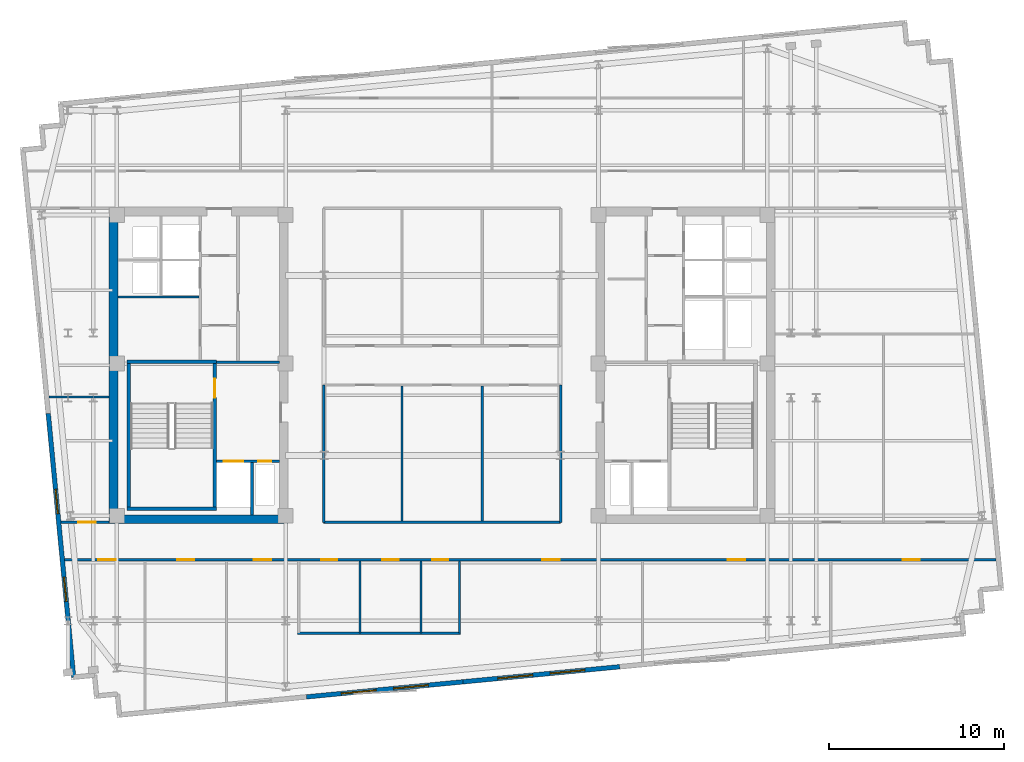
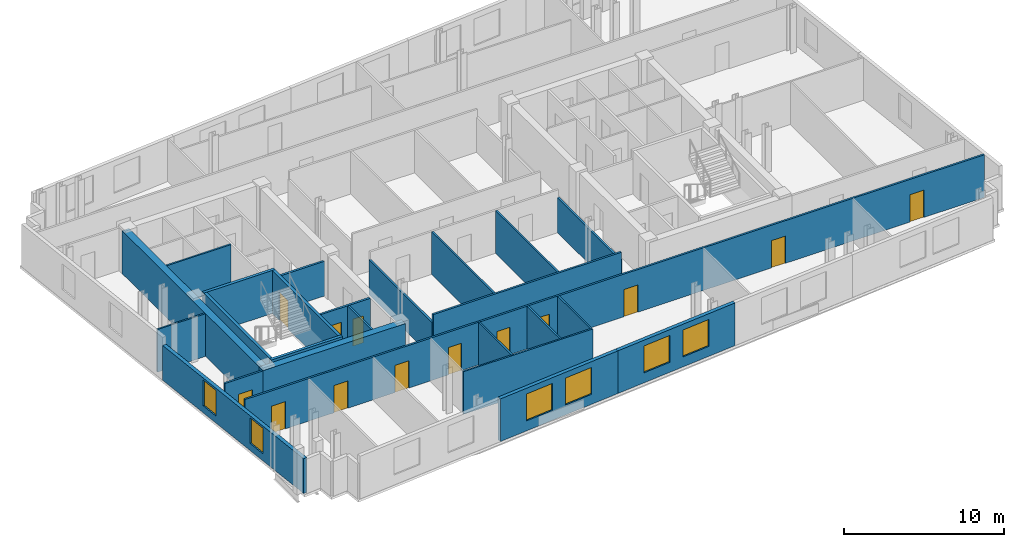
# One storey, part 3 of 9: 25 walls, 13 doors, 6 windows, 19 openings.
"""IFC4 building model written with IfcOpenShell, lengths in metres."""

from ifc_helpers import new_model, si_unit, direction, frame, frame_2d, origin, place, context, subcontext, project, spatial, rectangle, extrude, material, layer, layer_set, type_object, element, fill, save


model = new_model("IFC4")

# Units and contexts
model_context = context("Model", 3, precision=1e-05, world=origin(), true_north=direction((0.0, 1.0)))
body_context = subcontext(model_context, "Body", "Model", "MODEL_VIEW")
ifc_project = project(units=[si_unit("LENGTHUNIT", "METRE"), si_unit("AREAUNIT", "SQUARE_METRE"), si_unit("VOLUMEUNIT", "CUBIC_METRE"), si_unit("PLANEANGLEUNIT", "RADIAN"), si_unit("MASSUNIT", "GRAM", prefix="KILO")], contexts=[model_context])

# Site, building, storey
site_placement = place(None, origin())
site = spatial("IfcSite", under=ifc_project, at=site_placement, CompositionType="ELEMENT")
building_placement = place(site_placement, origin())
building = spatial("IfcBuilding", under=site, at=building_placement, Name="Velakula Bourse", CompositionType="ELEMENT")
storey_placement = place(building_placement, frame((0.0, 0.0, 275.85009765625)))
storey = spatial("IfcBuildingStorey", under=building, at=storey_placement, Name="L75", CompositionType="ELEMENT", Elevation=275.85009765625)

# Wall, opening, door
ifc_material_1 = material(Name="Concrete M50 (fck 50 MPa)", Category="concrete")
ifc_layer_1 = layer(ifc_material_1, 0.2099609375, Name="Concrete M50 (fck 50 MPa)", Category="concrete")
ifc_layer_set_1 = layer_set([ifc_layer_1], Name="Concrete M50 (fck 50 MPa)")
wall_type_1 = type_object("IfcWallType", Name="WL-CORE-210", PredefinedType="SHEAR", material=ifc_layer_set_1)
wall_1_placement = place(storey_placement, frame((-12.9951171875, -8.10009765625, 0.0), z_axis=(0.0, 0.0, 1.0), x_axis=(0.0, 1.0, 0.0)))
wall_1 = element("IfcWall", 1, at=wall_1_placement, inside=storey, type_object=wall_type_1, Name="L75 Core W Stairwell Shear Wall IN", PredefinedType="SHEAR", context=body_context, shape_type="SweptSolid", body=[
    extrude(rectangle(XDim=8.2001953125, YDim=0.2099609375, at=frame_2d((4.10009765625, 0.0))), origin(), (0.0, 0.0, 1.0), 3.27001953125),
])
opening_1_placement = place(wall_1_placement, frame((6.25, 0.0, 0.0)))
opening_1 = element("IfcOpeningElement", 2, at=opening_1_placement, cuts=wall_1, Name="Opening D-STW1", PredefinedType="OPENING", context=body_context, shape_type="SweptSolid", body=[
    extrude(rectangle(XDim=1.10009765625, YDim=2.14990234375, at=frame_2d((0.550048828125, 1.074951171875))), frame((0.0, 0.114990234375, 0.0), z_axis=(0.0, -1.0, 0.0), x_axis=(1.0, 0.0, 0.0)), (0.0, 0.0, 1.0), 0.22998046875),
])
ifc_material_2 = material(Name="Galvanised painted hollow steel fire door", Category="steel")
door_type_1 = type_object("IfcDoorType", Name="DR-FD120-1100x2150", OperationType="NOTDEFINED", PredefinedType="DOOR", material=ifc_material_2)
door_1_placement = place(opening_1_placement, origin())
door_1 = element("IfcDoor", 3, at=door_1_placement, inside=storey, type_object=door_type_1, Name="L75 Stair ST-W1 Fire Door", OperationType="SINGLE_SWING_LEFT", OverallHeight=2.14990234375, OverallWidth=1.10009765625, PredefinedType="DOOR", context=body_context, shape_type="SweptSolid", body=[
    extrude(rectangle(XDim=1.10009765625, YDim=2.14990234375, at=frame_2d((0.550048828125, 1.074951171875))), frame((0.0, 0.02490234375, 0.0), z_axis=(0.0, -1.0, 0.0), x_axis=(1.0, 0.0, 0.0)), (0.0, 0.0, 1.0), 0.050048828125),
])
fill(opening_1, door_1)

# Walls
wall_2_placement = place(storey_placement, frame((-17.925048828125, -8.10009765625, 0.0), z_axis=(0.0, 0.0, 1.0), x_axis=(0.0, 1.0, 0.0)))
element("IfcWall", 4, at=wall_2_placement, inside=storey, type_object=wall_type_1, Name="L75 Core W Stairwell Shear Wall OUT", PredefinedType="SHEAR", context=body_context, shape_type="SweptSolid", body=[
    extrude(rectangle(XDim=8.2001953125, YDim=0.2099609375, at=frame_2d((4.10009765625, 0.0))), origin(), (0.0, 0.0, 1.0), 3.27001953125),
])
for number, where, z_axis, x_axis, name in (
    (5, (-18.030029296875, -8.205078125, 0.0), (0.0, 0.0, 1.0), (1.0, 0.0, 0.0), "L75 Core W Stairwell Shear Wall S"),
    (6, (-12.889892578125, 0.205078125, 0.0), (0.0, 0.0, 1.0), (-1.0, 0.0, 0.0), "L75 Core W Stairwell Shear Wall N"),
):
    element("IfcWall", number, at=place(storey_placement, frame(where, z_axis=z_axis, x_axis=x_axis)), inside=storey, type_object=wall_type_1, Name=name, PredefinedType="SHEAR", context=body_context, shape_type="SweptSolid", body=[
        extrude(rectangle(XDim=5.14013671875, YDim=0.2099609375, at=frame_2d((2.570068359375, 0.0))), origin(), (0.0, 0.0, 1.0), 3.27001953125),
    ])
ifc_layer_2 = layer(ifc_material_1, 0.5, Name="Concrete M50 (fck 50 MPa)", Category="concrete")
ifc_layer_set_2 = layer_set([ifc_layer_2], Name="Concrete M50 (fck 50 MPa)")
wall_type_2 = type_object("IfcWallType", Name="WL-CORE-500", PredefinedType="SHEAR", material=ifc_layer_set_2)
wall_3_placement = place(storey_placement, frame((-19.050048828125, -8.800048828125, 0.0), z_axis=(0.0, 0.0, 1.0), x_axis=(1.0, 0.0, 0.0)))
element("IfcWall", 7, at=wall_3_placement, inside=storey, type_object=wall_type_2, Name="L75 Core W Shear Wall S", PredefinedType="SHEAR", context=body_context, shape_type="SweptSolid", body=[
    extrude(rectangle(XDim=10.25, YDim=0.5, at=frame_2d((5.125, 0.0))), origin(), (0.0, 0.0, 1.0), 3.27001953125),
])
wall_4_placement = place(storey_placement, frame((-18.800048828125, -8.550048828125, 0.0), z_axis=(0.0, 0.0, 1.0), x_axis=(0.0, 1.0, 0.0)))
element("IfcWall", 8, at=wall_4_placement, inside=storey, type_object=wall_type_2, Name="L75 Core W Shear Wall W", PredefinedType="SHEAR", context=body_context, shape_type="SweptSolid", body=[
    extrude(rectangle(XDim=17.10009765625, YDim=0.5, at=frame_2d((8.550048828125, 0.0))), origin(), (0.0, 0.0, 1.0), 3.27001953125),
])

# Wall, openings, windows
ifc_material_3 = material(Name="Buff kilned clay facing brick masonry", Category="masonry")
ifc_layer_3 = layer(ifc_material_3, 0.260009765625, Name="Buff kilned clay facing brick masonry", Category="masonry")
ifc_layer_set_3 = layer_set([ifc_layer_3], Name="Buff kilned clay facing brick masonry")
wall_type_3 = type_object("IfcWallType", Name="WL-EXT-BRK-260", PredefinedType="STANDARD", material=ifc_layer_set_3)
wall_5_placement = place(storey_placement, frame((1.202880859375, -18.1005859375, 0.0), z_axis=(0.0, 0.0, 1.0), x_axis=(-0.995397043619, -0.095836973841, 0.0)))
wall_5 = element("IfcWall", 9, at=wall_5_placement, inside=storey, type_object=wall_type_3, Name="L75 S Brick Spandrel Wall B2", PredefinedType="STANDARD", context=body_context, shape_type="SweptSolid", body=[
    extrude(rectangle(XDim=9.000244140625, YDim=0.260009765625, at=frame_2d((4.5, 0.0))), origin(), (0.0, 0.0, 1.0), 3.25),
])
opening_2_placement = place(wall_5_placement, frame((2.0, 0.0, 0.760009765625)))
opening_2 = element("IfcOpeningElement", 10, at=opening_2_placement, cuts=wall_5, Name="Opening W-05", PredefinedType="OPENING", context=body_context, shape_type="SweptSolid", body=[
    extrude(rectangle(XDim=2.0, YDim=2.050048828125, at=frame_2d((1.0, 1.02490234375))), frame((0.0, 0.139892578125, 0.0), z_axis=(0.0, -1.0, 0.0), x_axis=(1.0, 0.0, 0.0)), (0.0, 0.0, 1.0), 0.280029296875),
])
opening_3_placement = place(wall_5_placement, frame((5.0, 0.0, 0.760009765625)))
opening_3 = element("IfcOpeningElement", 11, at=opening_3_placement, cuts=wall_5, Name="Opening W-05", PredefinedType="OPENING", context=body_context, shape_type="SweptSolid", body=[
    extrude(rectangle(XDim=2.0, YDim=2.050048828125, at=frame_2d((1.0, 1.02490234375))), frame((0.0, 0.139892578125, 0.0), z_axis=(0.0, -1.0, 0.0), x_axis=(1.0, 0.0, 0.0)), (0.0, 0.0, 1.0), 0.280029296875),
])
ifc_material_4 = material(Name="Double-glazed solar-control Low-E glass", Category="glass")
window_type_1 = type_object("IfcWindowType", Name="WIN-TWR-2000x2200", PartitioningType="DOUBLE_PANEL_VERTICAL", PredefinedType="WINDOW", material=ifc_material_4)
window_1_placement = place(opening_2_placement, origin())
window_1 = element("IfcWindow", 12, at=window_1_placement, inside=storey, type_object=window_type_1, Name="L75 Deep-Set Recessed Window 1", OverallHeight=2.050048828125, OverallWidth=2.0, PartitioningType="DOUBLE_PANEL_VERTICAL", PredefinedType="WINDOW", context=body_context, shape_type="SweptSolid", body=[
    extrude(rectangle(XDim=2.0, YDim=2.050048828125, at=frame_2d((1.0, 1.02490234375))), frame((0.0, 0.030029296875, 0.0), z_axis=(0.0, -1.0, 0.0), x_axis=(1.0, 0.0, 0.0)), (0.0, 0.0, 1.0), 0.06005859375),
])
fill(opening_2, window_1)
window_2_placement = place(opening_3_placement, origin())
window_2 = element("IfcWindow", 13, at=window_2_placement, inside=storey, type_object=window_type_1, Name="L75 Deep-Set Recessed Window 2", OverallHeight=2.050048828125, OverallWidth=2.0, PartitioningType="DOUBLE_PANEL_VERTICAL", PredefinedType="WINDOW", context=body_context, shape_type="SweptSolid", body=[
    extrude(rectangle(XDim=2.0, YDim=2.050048828125, at=frame_2d((1.0, 1.02490234375))), frame((0.0, 0.030029296875, 0.0), z_axis=(0.0, -1.0, 0.0), x_axis=(1.0, 0.0, 0.0)), (0.0, 0.0, 1.0), 0.06005859375),
])
fill(opening_3, window_2)

wall_6_placement = place(storey_placement, frame((10.161376953125, -17.23779296875, 0.0), z_axis=(0.0, 0.0, 1.0), x_axis=(-0.995394206237, -0.095866439332, 0.0)))
wall_6 = element("IfcWall", 14, at=wall_6_placement, inside=storey, type_object=wall_type_3, Name="L75 S Brick Spandrel Wall B3", PredefinedType="STANDARD", context=body_context, shape_type="SweptSolid", body=[
    extrude(rectangle(XDim=9.0, YDim=0.260009765625, at=frame_2d((4.5, 0.0))), origin(), (0.0, 0.0, 1.0), 3.25),
])
opening_4_placement = place(wall_6_placement, frame((2.0, 0.0, 0.760009765625)))
opening_4 = element("IfcOpeningElement", 15, at=opening_4_placement, cuts=wall_6, Name="Opening W-05", PredefinedType="OPENING", context=body_context, shape_type="SweptSolid", body=[
    extrude(rectangle(XDim=2.0, YDim=2.050048828125, at=frame_2d((1.0, 1.02490234375))), frame((0.0, 0.139892578125, 0.0), z_axis=(0.0, -1.0, 0.0), x_axis=(1.0, 0.0, 0.0)), (0.0, 0.0, 1.0), 0.280029296875),
])
opening_5_placement = place(wall_6_placement, frame((5.0, 0.0, 0.760009765625)))
opening_5 = element("IfcOpeningElement", 16, at=opening_5_placement, cuts=wall_6, Name="Opening W-05", PredefinedType="OPENING", context=body_context, shape_type="SweptSolid", body=[
    extrude(rectangle(XDim=2.0, YDim=2.050048828125, at=frame_2d((1.0, 1.02490234375))), frame((0.0, 0.139892578125, 0.0), z_axis=(0.0, -1.0, 0.0), x_axis=(1.0, 0.0, 0.0)), (0.0, 0.0, 1.0), 0.280029296875),
])
window_3_placement = place(opening_4_placement, origin())
window_3 = element("IfcWindow", 17, at=window_3_placement, inside=storey, type_object=window_type_1, Name="L75 Deep-Set Recessed Window 1", OverallHeight=2.050048828125, OverallWidth=2.0, PartitioningType="DOUBLE_PANEL_VERTICAL", PredefinedType="WINDOW", context=body_context, shape_type="SweptSolid", body=[
    extrude(rectangle(XDim=2.0, YDim=2.050048828125, at=frame_2d((1.0, 1.02490234375))), frame((0.0, 0.030029296875, 0.0), z_axis=(0.0, -1.0, 0.0), x_axis=(1.0, 0.0, 0.0)), (0.0, 0.0, 1.0), 0.06005859375),
])
fill(opening_4, window_3)
window_4_placement = place(opening_5_placement, origin())
window_4 = element("IfcWindow", 18, at=window_4_placement, inside=storey, type_object=window_type_1, Name="L75 Deep-Set Recessed Window 2", OverallHeight=2.050048828125, OverallWidth=2.0, PartitioningType="DOUBLE_PANEL_VERTICAL", PredefinedType="WINDOW", context=body_context, shape_type="SweptSolid", body=[
    extrude(rectangle(XDim=2.0, YDim=2.050048828125, at=frame_2d((1.0, 1.02490234375))), frame((0.0, 0.030029296875, 0.0), z_axis=(0.0, -1.0, 0.0), x_axis=(1.0, 0.0, 0.0)), (0.0, 0.0, 1.0), 0.06005859375),
])
fill(opening_5, window_4)

wall_7_placement = place(storey_placement, frame((-21.0751953125, -17.83447265625, 0.0), z_axis=(0.0, 0.0, 1.0), x_axis=(-0.095852427869, 0.995395555582, 0.0)))
wall_7 = element("IfcWall", 19, at=wall_7_placement, inside=storey, type_object=wall_type_3, Name="L75 W Brick End Wall W1", PredefinedType="STANDARD", context=body_context, shape_type="SweptSolid", body=[
    extrude(rectangle(XDim=15.14990234375, YDim=0.260009765625, at=frame_2d((7.574951171875, 0.0))), origin(), (0.0, 0.0, 1.0), 2.64501953125),
])
opening_6_placement = place(wall_7_placement, frame((4.35009765625, 0.0, 0.534912109375)))
opening_6 = element("IfcOpeningElement", 20, at=opening_6_placement, cuts=wall_7, Name="Opening W-03", PredefinedType="OPENING", context=body_context, shape_type="SweptSolid", body=[
    extrude(rectangle(XDim=1.39990234375, YDim=1.949951171875, at=frame_2d((0.699951171875, 0.97509765625))), frame((0.0, 0.139892578125, 0.0), z_axis=(0.0, -1.0, 0.0), x_axis=(1.0, 0.0, 0.0)), (0.0, 0.0, 1.0), 0.280029296875),
])
opening_7_placement = place(wall_7_placement, frame((9.39990234375, 0.0, 0.534912109375)))
opening_7 = element("IfcOpeningElement", 21, at=opening_7_placement, cuts=wall_7, Name="Opening W-03", PredefinedType="OPENING", context=body_context, shape_type="SweptSolid", body=[
    extrude(rectangle(XDim=1.39990234375, YDim=1.949951171875, at=frame_2d((0.699951171875, 0.97509765625))), frame((0.0, 0.139892578125, 0.0), z_axis=(0.0, -1.0, 0.0), x_axis=(1.0, 0.0, 0.0)), (0.0, 0.0, 1.0), 0.280029296875),
])
window_type_2 = type_object("IfcWindowType", Name="WIN-TWR-1400x2100", PartitioningType="SINGLE_PANEL", PredefinedType="WINDOW", material=ifc_material_4)
window_5_placement = place(opening_6_placement, origin())
window_5 = element("IfcWindow", 22, at=window_5_placement, inside=storey, type_object=window_type_2, Name="L75 Deep-Set Recessed Window 1", OverallHeight=1.949951171875, OverallWidth=1.39990234375, PartitioningType="SINGLE_PANEL", PredefinedType="WINDOW", context=body_context, shape_type="SweptSolid", body=[
    extrude(rectangle(XDim=1.39990234375, YDim=1.949951171875, at=frame_2d((0.699951171875, 0.97509765625))), frame((0.0, 0.030029296875, 0.0), z_axis=(0.0, -1.0, 0.0), x_axis=(1.0, 0.0, 0.0)), (0.0, 0.0, 1.0), 0.06005859375),
])
fill(opening_6, window_5)
window_6_placement = place(opening_7_placement, origin())
window_6 = element("IfcWindow", 23, at=window_6_placement, inside=storey, type_object=window_type_2, Name="L75 Deep-Set Recessed Window 2", OverallHeight=1.949951171875, OverallWidth=1.39990234375, PartitioningType="SINGLE_PANEL", PredefinedType="WINDOW", context=body_context, shape_type="SweptSolid", body=[
    extrude(rectangle(XDim=1.39990234375, YDim=1.949951171875, at=frame_2d((0.699951171875, 0.97509765625))), frame((0.0, 0.030029296875, 0.0), z_axis=(0.0, -1.0, 0.0), x_axis=(1.0, 0.0, 0.0)), (0.0, 0.0, 1.0), 0.06005859375),
])
fill(opening_7, window_6)

# Walls
ifc_material_5 = material(Name="Fire-rated double-layer gypsum drywall partition", Category="gypsum")
ifc_layer_4 = layer(ifc_material_5, 0.1201171875, Name="Fire-rated double-layer gypsum drywall partition", Category="gypsum")
ifc_layer_set_4 = layer_set([ifc_layer_4], Name="Fire-rated double-layer gypsum drywall partition")
wall_type_4 = type_object("IfcWallType", Name="WL-PART-120", PredefinedType="STANDARD", material=ifc_layer_set_4)
wall_8_placement = place(storey_placement, frame((-18.550048828125, 3.919921875, 0.0), z_axis=(0.0, 0.0, 1.0), x_axis=(1.0, 0.0, 0.0)))
element("IfcWall", 24, at=wall_8_placement, inside=storey, type_object=wall_type_4, Name="L75 Interior Partition WL-CRW-L75-HI-S", PredefinedType="STANDARD", context=body_context, shape_type="SweptSolid", body=[
    extrude(rectangle(XDim=4.650146484375, YDim=0.1201171875, at=frame_2d((2.3251953125, 0.0))), origin(), (0.0, 0.0, 1.0), 3.25),
])
wall_9_placement = place(storey_placement, frame((-8.260009765625, -15.320068359375, 0.0), z_axis=(0.0, 0.0, 1.0), x_axis=(1.0, 0.0, 0.0)))
element("IfcWall", 25, at=wall_9_placement, inside=storey, type_object=wall_type_4, Name="L75 Interior Partition WL-WC-L75-BACK", PredefinedType="STANDARD", context=body_context, shape_type="SweptSolid", body=[
    extrude(rectangle(XDim=9.320068359375, YDim=0.1201171875, at=frame_2d((4.66015625, 0.0))), origin(), (0.0, 0.0, 1.0), 3.25),
])
for number, where, z_axis, x_axis, name in (
    (26, (-4.699951171875, -15.320068359375, 0.0), (0.0, 0.0, 1.0), (0.0, 1.0, 0.0), "L75 Interior Partition WL-WC-L75-V2"),
    (27, (-1.199951171875, -15.320068359375, 0.0), (0.0, 0.0, 1.0), (0.0, 1.0, 0.0), "L75 Interior Partition WL-WC-L75-V3"),
    (28, (1.0, -15.320068359375, 0.0), (0.0, 0.0, 1.0), (0.0, 1.0, 0.0), "L75 Interior Partition WL-WC-L75-V4"),
):
    element("IfcWall", number, at=place(storey_placement, frame(where, z_axis=z_axis, x_axis=x_axis)), inside=storey, type_object=wall_type_4, Name=name, PredefinedType="STANDARD", context=body_context, shape_type="SweptSolid", body=[
        extrude(rectangle(XDim=4.130126953125, YDim=0.1201171875, at=frame_2d((2.06494140625, 0.0))), origin(), (0.0, 0.0, 1.0), 3.25),
    ])
wall_10_placement = place(storey_placement, frame((-22.488525390625, -1.800048828125, 0.0), z_axis=(0.0, 0.0, 1.0), x_axis=(1.0, 0.0, 0.0)))
element("IfcWall", 29, at=wall_10_placement, inside=storey, type_object=wall_type_4, Name="L75 Interior Partition WL-INT-L75-W-H", PredefinedType="STANDARD", context=body_context, shape_type="SweptSolid", body=[
    extrude(rectangle(XDim=3.4384765625, YDim=0.1201171875, at=frame_2d((1.71923828125, 0.0))), origin(), (0.0, 0.0, 1.0), 3.25),
])

# Wall, openings, doors
ifc_layer_5 = layer(ifc_material_5, 0.139892578125, Name="Fire-rated double-layer gypsum drywall partition", Category="gypsum")
ifc_layer_set_5 = layer_set([ifc_layer_5], Name="Fire-rated double-layer gypsum drywall partition")
wall_type_5 = type_object("IfcWallType", Name="WL-PART-140", PredefinedType="STANDARD", material=ifc_layer_set_5)
wall_11_placement = place(storey_placement, frame((-21.59130859375, -11.1201171875, 0.0), z_axis=(0.0, 0.0, 1.0), x_axis=(1.0, 0.0, 0.0)))
wall_11 = element("IfcWall", 30, at=wall_11_placement, inside=storey, type_object=wall_type_5, Name="L75 Interior Partition WL-INT-L75-S-CORR", PredefinedType="STANDARD", context=body_context, shape_type="SweptSolid", body=[
    extrude(rectangle(XDim=53.285400390625, YDim=0.139892578125, at=frame_2d((26.642578125, 0.0))), origin(), (0.0, 0.0, 1.0), 3.25),
])
opening_8_placement = place(wall_11_placement, frame((14.68115234375, 0.0, 0.0)))
opening_8 = element("IfcOpeningElement", 31, at=opening_8_placement, cuts=wall_11, Name="Opening D-WT1", PredefinedType="OPENING", context=body_context, shape_type="SweptSolid", body=[
    extrude(rectangle(XDim=0.919921875, YDim=2.080078125, at=frame_2d((0.4599609375, 1.0400390625))), frame((0.0, 0.079833984375, 0.0), z_axis=(0.0, -1.0, 0.0), x_axis=(1.0, 0.0, 0.0)), (0.0, 0.0, 1.0), 0.159912109375),
])
opening_9_placement = place(wall_11_placement, frame((18.18115234375, 0.0, 0.0)))
opening_9 = element("IfcOpeningElement", 32, at=opening_9_placement, cuts=wall_11, Name="Opening D-WT1", PredefinedType="OPENING", context=body_context, shape_type="SweptSolid", body=[
    extrude(rectangle(XDim=0.919921875, YDim=2.080078125, at=frame_2d((0.4599609375, 1.0400390625))), frame((0.0, 0.079833984375, 0.0), z_axis=(0.0, -1.0, 0.0), x_axis=(1.0, 0.0, 0.0)), (0.0, 0.0, 1.0), 0.159912109375),
])
opening_10_placement = place(wall_11_placement, frame((21.03125, 0.0, 0.0)))
opening_10 = element("IfcOpeningElement", 33, at=opening_10_placement, cuts=wall_11, Name="Opening D-WC1", PredefinedType="OPENING", context=body_context, shape_type="SweptSolid", body=[
    extrude(rectangle(XDim=0.919921875, YDim=2.080078125, at=frame_2d((0.4599609375, 1.0400390625))), frame((0.0, 0.079833984375, 0.0), z_axis=(0.0, -1.0, 0.0), x_axis=(1.0, 0.0, 0.0)), (0.0, 0.0, 1.0), 0.159912109375),
])
opening_11_placement = place(wall_11_placement, frame((1.924560546875, 0.0, 0.0)))
opening_11 = element("IfcOpeningElement", 34, at=opening_11_placement, cuts=wall_11, Name="Opening D-OF1", PredefinedType="OPENING", context=body_context, shape_type="SweptSolid", body=[
    extrude(rectangle(XDim=1.0, YDim=2.080078125, at=frame_2d((0.5, 1.0400390625))), frame((0.0, 0.079833984375, 0.0), z_axis=(0.0, -1.0, 0.0), x_axis=(1.0, 0.0, 0.0)), (0.0, 0.0, 1.0), 0.159912109375),
])
opening_12_placement = place(wall_11_placement, frame((6.42919921875, 0.0, 0.0)))
opening_12 = element("IfcOpeningElement", 35, at=opening_12_placement, cuts=wall_11, Name="Opening D-OF1", PredefinedType="OPENING", context=body_context, shape_type="SweptSolid", body=[
    extrude(rectangle(XDim=1.0, YDim=2.080078125, at=frame_2d((0.5, 1.0400390625))), frame((0.0, 0.079833984375, 0.0), z_axis=(0.0, -1.0, 0.0), x_axis=(1.0, 0.0, 0.0)), (0.0, 0.0, 1.0), 0.159912109375),
])
opening_13_placement = place(wall_11_placement, frame((10.826171875, 0.0, 0.0)))
opening_13 = element("IfcOpeningElement", 36, at=opening_13_placement, cuts=wall_11, Name="Opening D-OF1", PredefinedType="OPENING", context=body_context, shape_type="SweptSolid", body=[
    extrude(rectangle(XDim=1.0, YDim=2.080078125, at=frame_2d((0.5, 1.0400390625))), frame((0.0, 0.079833984375, 0.0), z_axis=(0.0, -1.0, 0.0), x_axis=(1.0, 0.0, 0.0)), (0.0, 0.0, 1.0), 0.159912109375),
])
opening_14_placement = place(wall_11_placement, frame((27.322265625, 0.0, 0.0)))
opening_14 = element("IfcOpeningElement", 37, at=opening_14_placement, cuts=wall_11, Name="Opening D-OF1", PredefinedType="OPENING", context=body_context, shape_type="SweptSolid", body=[
    extrude(rectangle(XDim=1.0, YDim=2.080078125, at=frame_2d((0.5, 1.0400390625))), frame((0.0, 0.079833984375, 0.0), z_axis=(0.0, -1.0, 0.0), x_axis=(1.0, 0.0, 0.0)), (0.0, 0.0, 1.0), 0.159912109375),
])
opening_15_placement = place(wall_11_placement, frame((37.938720703125, 0.0, 0.0)))
opening_15 = element("IfcOpeningElement", 38, at=opening_15_placement, cuts=wall_11, Name="Opening D-OF1", PredefinedType="OPENING", context=body_context, shape_type="SweptSolid", body=[
    extrude(rectangle(XDim=1.0, YDim=2.080078125, at=frame_2d((0.5, 1.0400390625))), frame((0.0, 0.079833984375, 0.0), z_axis=(0.0, -1.0, 0.0), x_axis=(1.0, 0.0, 0.0)), (0.0, 0.0, 1.0), 0.159912109375),
])
opening_16_placement = place(wall_11_placement, frame((47.9287109375, 0.0, 0.0)))
opening_16 = element("IfcOpeningElement", 39, at=opening_16_placement, cuts=wall_11, Name="Opening D-OF1", PredefinedType="OPENING", context=body_context, shape_type="SweptSolid", body=[
    extrude(rectangle(XDim=1.0, YDim=2.080078125, at=frame_2d((0.5, 1.0400390625))), frame((0.0, 0.079833984375, 0.0), z_axis=(0.0, -1.0, 0.0), x_axis=(1.0, 0.0, 0.0)), (0.0, 0.0, 1.0), 0.159912109375),
])
ifc_material_6 = material(Name="Fire-rated hardwood flush architectural door", Category="wood")
door_type_2 = type_object("IfcDoorType", Name="DR-OFF-1000", OperationType="NOTDEFINED", PredefinedType="DOOR", material=ifc_material_6)
door_2_placement = place(opening_11_placement, origin())
door_2 = element("IfcDoor", 40, at=door_2_placement, inside=storey, type_object=door_type_2, Name="L75 Traders Bistro Restaurant Door", OperationType="SINGLE_SWING_RIGHT", OverallHeight=2.080078125, OverallWidth=1.0, PredefinedType="DOOR", context=body_context, shape_type="SweptSolid", body=[
    extrude(rectangle(XDim=1.0, YDim=2.080078125, at=frame_2d((0.5, 1.0400390625))), frame((0.0, 0.02490234375, 0.0), z_axis=(0.0, -1.0, 0.0), x_axis=(1.0, 0.0, 0.0)), (0.0, 0.0, 1.0), 0.050048828125),
])
fill(opening_11, door_2)
door_3_placement = place(opening_12_placement, origin())
door_3 = element("IfcDoor", 41, at=door_3_placement, inside=storey, type_object=door_type_2, Name="L75 Company Secretary Office Door", OperationType="SINGLE_SWING_LEFT", OverallHeight=2.080078125, OverallWidth=1.0, PredefinedType="DOOR", context=body_context, shape_type="SweptSolid", body=[
    extrude(rectangle(XDim=1.0, YDim=2.080078125, at=frame_2d((0.5, 1.0400390625))), frame((0.0, 0.02490234375, 0.0), z_axis=(0.0, -1.0, 0.0), x_axis=(1.0, 0.0, 0.0)), (0.0, 0.0, 1.0), 0.050048828125),
])
fill(opening_12, door_3)
door_4_placement = place(opening_13_placement, origin())
door_4 = element("IfcDoor", 42, at=door_4_placement, inside=storey, type_object=door_type_2, Name="L75 Training Classroom Door", OperationType="SINGLE_SWING_RIGHT", OverallHeight=2.080078125, OverallWidth=1.0, PredefinedType="DOOR", context=body_context, shape_type="SweptSolid", body=[
    extrude(rectangle(XDim=1.0, YDim=2.080078125, at=frame_2d((0.5, 1.0400390625))), frame((0.0, 0.02490234375, 0.0), z_axis=(0.0, -1.0, 0.0), x_axis=(1.0, 0.0, 0.0)), (0.0, 0.0, 1.0), 0.050048828125),
])
fill(opening_13, door_4)
door_5_placement = place(opening_14_placement, origin())
door_5 = element("IfcDoor", 43, at=door_5_placement, inside=storey, type_object=door_type_2, Name="L75 Tea Room Kitchenette Door", OperationType="SINGLE_SWING_LEFT", OverallHeight=2.080078125, OverallWidth=1.0, PredefinedType="DOOR", context=body_context, shape_type="SweptSolid", body=[
    extrude(rectangle(XDim=1.0, YDim=2.080078125, at=frame_2d((0.5, 1.0400390625))), frame((0.0, 0.02490234375, 0.0), z_axis=(0.0, -1.0, 0.0), x_axis=(1.0, 0.0, 0.0)), (0.0, 0.0, 1.0), 0.050048828125),
])
fill(opening_14, door_5)
door_6_placement = place(opening_15_placement, origin())
door_6 = element("IfcDoor", 44, at=door_6_placement, inside=storey, type_object=door_type_2, Name="L75 Market Surveillance Control Workspace Door", OperationType="SINGLE_SWING_RIGHT", OverallHeight=2.080078125, OverallWidth=1.0, PredefinedType="DOOR", context=body_context, shape_type="SweptSolid", body=[
    extrude(rectangle(XDim=1.0, YDim=2.080078125, at=frame_2d((0.5, 1.0400390625))), frame((0.0, 0.02490234375, 0.0), z_axis=(0.0, -1.0, 0.0), x_axis=(1.0, 0.0, 0.0)), (0.0, 0.0, 1.0), 0.050048828125),
])
fill(opening_15, door_6)
door_7_placement = place(opening_16_placement, origin())
door_7 = element("IfcDoor", 45, at=door_7_placement, inside=storey, type_object=door_type_2, Name="L75 General Counsel Office Door", OperationType="SINGLE_SWING_LEFT", OverallHeight=2.080078125, OverallWidth=1.0, PredefinedType="DOOR", context=body_context, shape_type="SweptSolid", body=[
    extrude(rectangle(XDim=1.0, YDim=2.080078125, at=frame_2d((0.5, 1.0400390625))), frame((0.0, 0.02490234375, 0.0), z_axis=(0.0, -1.0, 0.0), x_axis=(1.0, 0.0, 0.0)), (0.0, 0.0, 1.0), 0.050048828125),
])
fill(opening_16, door_7)
door_type_3 = type_object("IfcDoorType", Name="DR-WC-950", OperationType="NOTDEFINED", PredefinedType="DOOR", material=ifc_material_6)
door_8_placement = place(opening_8_placement, origin())
door_8 = element("IfcDoor", 46, at=door_8_placement, inside=storey, type_object=door_type_3, Name="L75 Male Staff Toilet Door", OperationType="SINGLE_SWING_LEFT", OverallHeight=2.080078125, OverallWidth=0.919921875, PredefinedType="DOOR", context=body_context, shape_type="SweptSolid", body=[
    extrude(rectangle(XDim=0.919921875, YDim=2.080078125, at=frame_2d((0.4599609375, 1.0400390625))), frame((0.0, 0.02490234375, 0.0), z_axis=(0.0, -1.0, 0.0), x_axis=(1.0, 0.0, 0.0)), (0.0, 0.0, 1.0), 0.050048828125),
])
fill(opening_8, door_8)
door_9_placement = place(opening_9_placement, origin())
door_9 = element("IfcDoor", 47, at=door_9_placement, inside=storey, type_object=door_type_3, Name="L75 Female Staff Toilet Door", OperationType="SINGLE_SWING_RIGHT", OverallHeight=2.080078125, OverallWidth=0.919921875, PredefinedType="DOOR", context=body_context, shape_type="SweptSolid", body=[
    extrude(rectangle(XDim=0.919921875, YDim=2.080078125, at=frame_2d((0.4599609375, 1.0400390625))), frame((0.0, 0.02490234375, 0.0), z_axis=(0.0, -1.0, 0.0), x_axis=(1.0, 0.0, 0.0)), (0.0, 0.0, 1.0), 0.050048828125),
])
fill(opening_9, door_9)
door_10_placement = place(opening_10_placement, origin())
door_10 = element("IfcDoor", 48, at=door_10_placement, inside=storey, type_object=door_type_3, Name="L75 Accessible WC Door", OperationType="SINGLE_SWING_LEFT", OverallHeight=2.080078125, OverallWidth=0.919921875, PredefinedType="DOOR", context=body_context, shape_type="SweptSolid", body=[
    extrude(rectangle(XDim=0.919921875, YDim=2.080078125, at=frame_2d((0.4599609375, 1.0400390625))), frame((0.0, 0.02490234375, 0.0), z_axis=(0.0, -1.0, 0.0), x_axis=(1.0, 0.0, 0.0)), (0.0, 0.0, 1.0), 0.050048828125),
])
fill(opening_10, door_10)

# Wall, opening, door
wall_12_placement = place(storey_placement, frame((-21.797119140625, -8.97998046875, 0.0), z_axis=(0.0, 0.0, 1.0), x_axis=(1.0, 0.0, 0.0)))
wall_12 = element("IfcWall", 49, at=wall_12_placement, inside=storey, type_object=wall_type_5, Name="L75 Interior Partition WL-INT-L75-W-SC", PredefinedType="STANDARD", context=body_context, shape_type="SweptSolid", body=[
    extrude(rectangle(XDim=2.7470703125, YDim=0.139892578125, at=frame_2d((1.37353515625, 0.0))), origin(), (0.0, 0.0, 1.0), 3.25),
])
opening_17_placement = place(wall_12_placement, frame((0.984375, 0.0, 0.0)))
opening_17 = element("IfcOpeningElement", 50, at=opening_17_placement, cuts=wall_12, Name="Opening D-OF1", PredefinedType="OPENING", context=body_context, shape_type="SweptSolid", body=[
    extrude(rectangle(XDim=1.0, YDim=2.080078125, at=frame_2d((0.5, 1.0400390625))), frame((0.0, 0.079833984375, 0.0), z_axis=(0.0, -1.0, 0.0), x_axis=(1.0, 0.0, 0.0)), (0.0, 0.0, 1.0), 0.159912109375),
])
door_11_placement = place(opening_17_placement, origin())
door_11 = element("IfcDoor", 51, at=door_11_placement, inside=storey, type_object=door_type_2, Name="L75 Green-Bond Carbon Exchange Workspace Door", OperationType="SINGLE_SWING_LEFT", OverallHeight=2.080078125, OverallWidth=1.0, PredefinedType="DOOR", context=body_context, shape_type="SweptSolid", body=[
    extrude(rectangle(XDim=1.0, YDim=2.080078125, at=frame_2d((0.5, 1.0400390625))), frame((0.0, 0.02490234375, 0.0), z_axis=(0.0, -1.0, 0.0), x_axis=(1.0, 0.0, 0.0)), (0.0, 0.0, 1.0), 0.050048828125),
])
fill(opening_17, door_11)

# Walls
wall_13_placement = place(storey_placement, frame((-6.780029296875, -8.97998046875, 0.0), z_axis=(0.0, 0.0, 1.0), x_axis=(1.0, 0.0, 0.0)))
element("IfcWall", 52, at=wall_13_placement, inside=storey, type_object=wall_type_5, Name="L75 Interior Partition WL-INT-L75-MS-OUT", PredefinedType="STANDARD", context=body_context, shape_type="SweptSolid", body=[
    extrude(rectangle(XDim=13.56005859375, YDim=0.139892578125, at=frame_2d((6.780029296875, 0.0))), origin(), (0.0, 0.0, 1.0), 3.25),
])
for number, where, z_axis, x_axis, name in (
    (53, (-6.780029296875, -8.97998046875, 0.0), (0.0, 0.0, 1.0), (0.0, 1.0, 0.0), "L75 Interior Partition WL-INT-L75-MS-W"),
    (54, (6.780029296875, -8.97998046875, 0.0), (0.0, 0.0, 1.0), (0.0, 1.0, 0.0), "L75 Interior Partition WL-INT-L75-MS-E"),
):
    element("IfcWall", number, at=place(storey_placement, frame(where, z_axis=z_axis, x_axis=x_axis)), inside=storey, type_object=wall_type_5, Name=name, PredefinedType="STANDARD", context=body_context, shape_type="SweptSolid", body=[
        extrude(rectangle(XDim=7.85986328125, YDim=0.139892578125, at=frame_2d((3.929931640625, 0.0))), origin(), (0.0, 0.0, 1.0), 2.64501953125),
    ])
for number, where, z_axis, x_axis, name in (
    (55, (-2.300048828125, -8.909912109375, 0.0), (0.0, 0.0, 1.0), (0.0, 1.0, 0.0), "L75 Interior Partition WL-INT-L75-MS-V1"),
    (56, (2.300048828125, -8.909912109375, 0.0), (0.0, 0.0, 1.0), (0.0, 1.0, 0.0), "L75 Interior Partition WL-INT-L75-MS-V2"),
):
    element("IfcWall", number, at=place(storey_placement, frame(where, z_axis=z_axis, x_axis=x_axis)), inside=storey, type_object=wall_type_5, Name=name, PredefinedType="STANDARD", context=body_context, shape_type="SweptSolid", body=[
        extrude(rectangle(XDim=7.719970703125, YDim=0.1201171875, at=frame_2d((3.85986328125, 0.0))), origin(), (0.0, 0.0, 1.0), 3.25),
    ])

# Wall, openings, doors
ifc_material_7 = material(Name="Autoclaved aerated concrete blockwork masonry", Category="masonry")
ifc_layer_6 = layer(ifc_material_7, 0.14990234375, Name="Autoclaved aerated concrete blockwork masonry", Category="masonry")
ifc_layer_set_6 = layer_set([ifc_layer_6], Name="Autoclaved aerated concrete blockwork masonry")
wall_type_6 = type_object("IfcWallType", Name="WL-SHAFT-150", PredefinedType="STANDARD", material=ifc_layer_set_6)
wall_14_placement = place(storey_placement, frame((-12.89501953125, -5.47509765625, 0.0), z_axis=(0.0, 0.0, 1.0), x_axis=(1.0, 0.0, 0.0)))
wall_14 = element("IfcWall", 57, at=wall_14_placement, inside=storey, type_object=wall_type_6, Name="L75 Interior Partition WL-CRW-L75-FFL-N", PredefinedType="STANDARD", context=body_context, shape_type="SweptSolid", body=[
    extrude(rectangle(XDim=3.594970703125, YDim=0.14990234375, at=frame_2d((1.79736328125, 0.0))), origin(), (0.0, 0.0, 1.0), 3.25),
])
opening_18_placement = place(wall_14_placement, frame((0.419921875, 0.0, 0.0)))
opening_18 = element("IfcOpeningElement", 58, at=opening_18_placement, cuts=wall_14, Name="Opening LD-FFL-1", PredefinedType="OPENING", context=body_context, shape_type="SweptSolid", body=[
    extrude(rectangle(XDim=1.10009765625, YDim=2.14990234375, at=frame_2d((0.550048828125, 1.074951171875))), frame((0.0, 0.0849609375, 0.0), z_axis=(0.0, -1.0, 0.0), x_axis=(1.0, 0.0, 0.0)), (0.0, 0.0, 1.0), 0.169921875),
])
opening_19_placement = place(wall_14_placement, frame((2.3701171875, 0.0, 0.0)))
opening_19 = element("IfcOpeningElement", 59, at=opening_19_placement, cuts=wall_14, Name="Opening D-RS1", PredefinedType="OPENING", context=body_context, shape_type="SweptSolid", body=[
    extrude(rectangle(XDim=0.75, YDim=2.050048828125, at=frame_2d((0.375, 1.02490234375))), frame((0.0, 0.0849609375, 0.0), z_axis=(0.0, -1.0, 0.0), x_axis=(1.0, 0.0, 0.0)), (0.0, 0.0, 1.0), 0.169921875),
])
door_type_4 = type_object("IfcDoorType", Name="DR-RISER-800", OperationType="NOTDEFINED", PredefinedType="DOOR", material=ifc_material_2)
door_12_placement = place(opening_19_placement, origin())
door_12 = element("IfcDoor", 60, at=door_12_placement, inside=storey, type_object=door_type_4, Name="L75 Fire Riser Access Door", OperationType="SINGLE_SWING_LEFT", OverallHeight=2.050048828125, OverallWidth=0.75, PredefinedType="DOOR", context=body_context, shape_type="SweptSolid", body=[
    extrude(rectangle(XDim=0.75, YDim=2.050048828125, at=frame_2d((0.375, 1.02490234375))), frame((0.0, 0.02490234375, 0.0), z_axis=(0.0, -1.0, 0.0), x_axis=(1.0, 0.0, 0.0)), (0.0, 0.0, 1.0), 0.050048828125),
])
fill(opening_19, door_12)
ifc_material_8 = material(Name="Brushed grade 316 stainless steel", Category="steel")
door_type_5 = type_object("IfcDoorType", Name="DR-SLIDE-FFL-1100", OperationType="DOUBLE_DOOR_SLIDING", PredefinedType="DOOR", material=ifc_material_8)
door_13_placement = place(opening_18_placement, origin())
door_13 = element("IfcDoor", 61, at=door_13_placement, inside=storey, type_object=door_type_5, Name="L75 Firefighting Lift FFL-1 Sliding Landing Door", OperationType="DOUBLE_DOOR_SLIDING", OverallHeight=2.14990234375, OverallWidth=1.10009765625, PredefinedType="DOOR", context=body_context, shape_type="SweptSolid", body=[
    extrude(rectangle(XDim=1.10009765625, YDim=2.14990234375, at=frame_2d((0.550048828125, 1.074951171875))), frame((0.0, 0.02490234375, 0.0), z_axis=(0.0, -1.0, 0.0), x_axis=(1.0, 0.0, 0.0)), (0.0, 0.0, 1.0), 0.050048828125),
])
fill(opening_18, door_13)

# Walls
wall_15_placement = place(storey_placement, frame((-10.875, -8.550048828125, 0.0), z_axis=(0.0, 0.0, 1.0), x_axis=(0.0, 1.0, 0.0)))
element("IfcWall", 62, at=wall_15_placement, inside=storey, type_object=wall_type_6, Name="L75 Interior Partition WL-CRW-L75-FR-DIV", PredefinedType="STANDARD", context=body_context, shape_type="SweptSolid", body=[
    extrude(rectangle(XDim=3.0, YDim=0.14990234375, at=frame_2d((1.5, 0.0))), origin(), (0.0, 0.0, 1.0), 3.25),
])
wall_16_placement = place(storey_placement, frame((-12.889892578125, 0.18994140625, 0.0), z_axis=(0.0, 0.0, 1.0), x_axis=(1.0, 0.0, 0.0)))
element("IfcWall", 63, at=wall_16_placement, inside=storey, type_object=wall_type_6, Name="L75 Interior Partition WL-CRW-L75-FF-TOP", PredefinedType="STANDARD", context=body_context, shape_type="SweptSolid", body=[
    extrude(rectangle(XDim=3.58984375, YDim=0.14990234375, at=frame_2d((1.794921875, 0.0))), origin(), (0.0, 0.0, 1.0), 2.64501953125),
])

save(model, "model.ifc")
